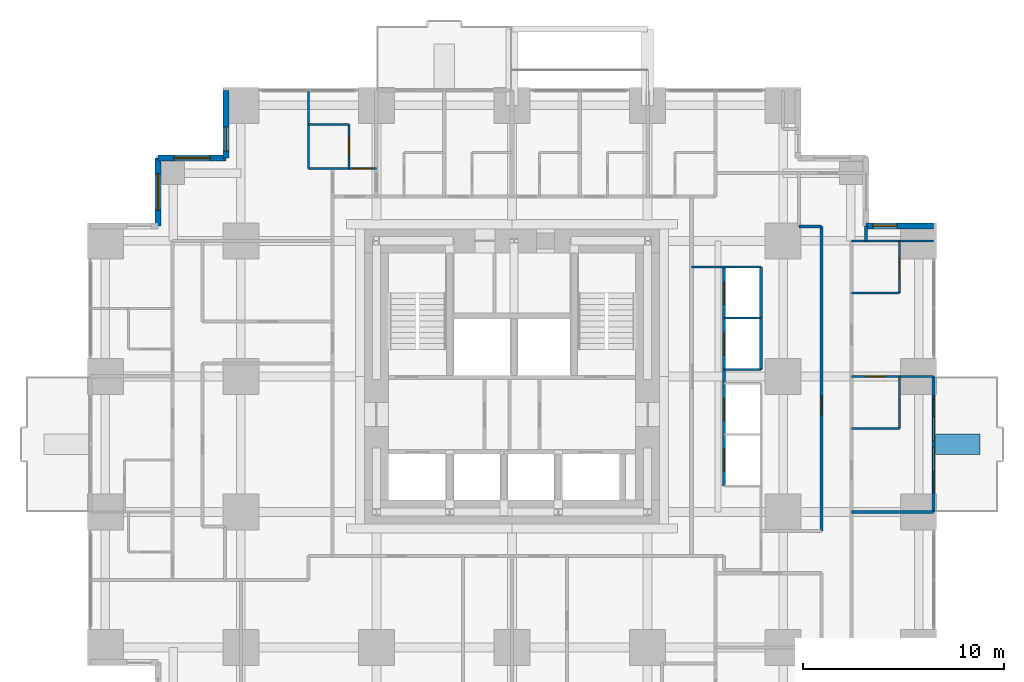
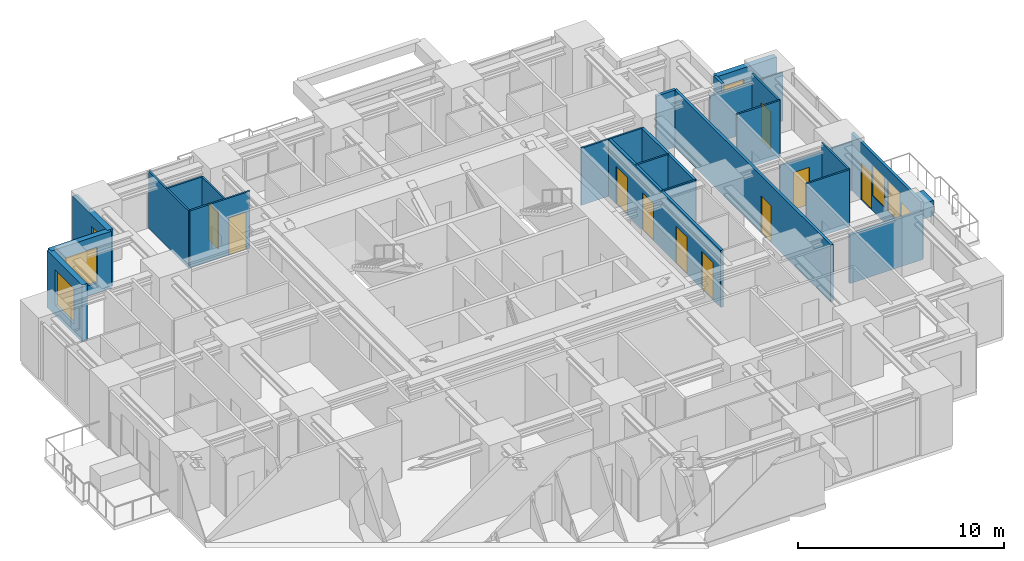
# One storey, part 10 of 13: 25 walls, 11 doors, 6 windows, 17 openings.
"""IFC4 building model written with IfcOpenShell, lengths in metres."""

from ifc_helpers import new_model, si_unit, direction, frame, frame_2d, origin, place, context, subcontext, project, spatial, rectangle, extrude, material, layer, layer_set, type_object, element, fill, save


model = new_model("IFC4")

# Units and contexts
model_context = context("Model", 3, precision=1e-05, world=origin(), true_north=direction((0.0, 1.0)))
body_context = subcontext(model_context, "Body", "Model", "MODEL_VIEW")
ifc_project = project(units=[si_unit("LENGTHUNIT", "METRE"), si_unit("AREAUNIT", "SQUARE_METRE"), si_unit("VOLUMEUNIT", "CUBIC_METRE"), si_unit("PLANEANGLEUNIT", "RADIAN"), si_unit("MASSUNIT", "GRAM", prefix="KILO")], contexts=[model_context])

# Site, building, storey
site_placement = place(None, origin())
site = spatial("IfcSite", under=ifc_project, at=site_placement, CompositionType="ELEMENT")
building_placement = place(site_placement, origin())
building = spatial("IfcBuilding", under=site, at=building_placement, Name="Nyansa Garden Tower", CompositionType="ELEMENT")
storey_placement = place(building_placement, frame((0.0, 0.0, 87.300048828125)))
storey = spatial("IfcBuildingStorey", under=building, at=storey_placement, Name="L23", CompositionType="ELEMENT", Elevation=87.300048828125)

# Wall, openings, doors, windows
ifc_material_1 = material(Name="Black aluminium framed glazed screen", Category="aluminium")
ifc_layer_1 = layer(ifc_material_1, 0.14990234375)
ifc_layer_set_1 = layer_set([ifc_layer_1], Name="Balcony screen wall BW150")
wall_type_1 = type_object("IfcWallType", Name="Balcony screen wall BW150", PredefinedType="SOLIDWALL", material=ifc_layer_set_1)
wall_1_placement = place(storey_placement, frame((41.25, 20.25, 0.0), z_axis=(0.0, 0.0, 1.0), x_axis=(0.0, -1.0, 0.0)))
wall_1 = element("IfcWall", 1, at=wall_1_placement, inside=storey, type_object=wall_type_1, Name="Glazed screen wall L23 E", PredefinedType="SOLIDWALL", context=body_context, shape_type="SweptSolid", body=[
    extrude(rectangle(XDim=6.75, YDim=0.14990234375, at=frame_2d((3.375, 0.0))), origin(), (0.0, 0.0, 1.0), 3.375),
])
opening_1_placement = place(wall_1_placement, frame((0.96240234375, 0.0, 0.0)))
opening_1 = element("IfcOpeningElement", 2, at=opening_1_placement, cuts=wall_1, Name="Opening D20", PredefinedType="OPENING", context=body_context, shape_type="SweptSolid", body=[
    extrude(rectangle(XDim=1.0, YDim=2.199951171875, at=frame_2d((0.5, 1.10009765625))), frame((0.0, 0.0849609375, 0.0), z_axis=(0.0, -1.0, 0.0), x_axis=(1.0, 0.0, 0.0)), (0.0, 0.0, 1.0), 0.169921875),
])
opening_2_placement = place(wall_1_placement, frame((2.02490234375, 0.0, 0.89990234375)))
opening_2 = element("IfcOpeningElement", 3, at=opening_2_placement, cuts=wall_1, Name="Opening W6", PredefinedType="OPENING", context=body_context, shape_type="SweptSolid", body=[
    extrude(rectangle(XDim=1.199951171875, YDim=1.800048828125, at=frame_2d((0.60009765625, 0.89990234375))), frame((0.0, 0.0849609375, 0.0), z_axis=(0.0, -1.0, 0.0), x_axis=(1.0, 0.0, 0.0)), (0.0, 0.0, 1.0), 0.169921875),
])
opening_3_placement = place(wall_1_placement, frame((4.78759765625, 0.0, 0.0)))
opening_3 = element("IfcOpeningElement", 4, at=opening_3_placement, cuts=wall_1, Name="Opening D20", PredefinedType="OPENING", context=body_context, shape_type="SweptSolid", body=[
    extrude(rectangle(XDim=1.0, YDim=2.199951171875, at=frame_2d((0.5, 1.10009765625))), frame((0.0, 0.0849609375, 0.0), z_axis=(0.0, -1.0, 0.0), x_axis=(1.0, 0.0, 0.0)), (0.0, 0.0, 1.0), 0.169921875),
])
opening_4_placement = place(wall_1_placement, frame((3.52490234375, 0.0, 0.89990234375)))
opening_4 = element("IfcOpeningElement", 5, at=opening_4_placement, cuts=wall_1, Name="Opening W6", PredefinedType="OPENING", context=body_context, shape_type="SweptSolid", body=[
    extrude(rectangle(XDim=1.199951171875, YDim=1.800048828125, at=frame_2d((0.60009765625, 0.89990234375))), frame((0.0, 0.0849609375, 0.0), z_axis=(0.0, -1.0, 0.0), x_axis=(1.0, 0.0, 0.0)), (0.0, 0.0, 1.0), 0.169921875),
])
ifc_material_2 = material(Name="Black aluminium framed glazed door", Category="aluminium")
door_type_1 = type_object("IfcDoorType", Name="Balcony door D20 1000x2200", OperationType="NOTDEFINED", PredefinedType="DOOR", material=ifc_material_2)
door_1_placement = place(opening_1_placement, origin())
door_1 = element("IfcDoor", 6, at=door_1_placement, inside=storey, type_object=door_type_1, Name="Balcony door L23", OperationType="SINGLE_SWING_LEFT", OverallHeight=2.199951171875, OverallWidth=1.0, PredefinedType="DOOR", context=body_context, shape_type="SweptSolid", body=[
    extrude(rectangle(XDim=1.0, YDim=2.199951171875, at=frame_2d((0.5, 1.10009765625))), frame((0.0, 0.02490234375, 0.0), z_axis=(0.0, -1.0, 0.0), x_axis=(1.0, 0.0, 0.0)), (0.0, 0.0, 1.0), 0.050048828125),
])
fill(opening_1, door_1)
door_2_placement = place(opening_3_placement, origin())
door_2 = element("IfcDoor", 7, at=door_2_placement, inside=storey, type_object=door_type_1, Name="Balcony door L23", OperationType="SINGLE_SWING_RIGHT", OverallHeight=2.199951171875, OverallWidth=1.0, PredefinedType="DOOR", context=body_context, shape_type="SweptSolid", body=[
    extrude(rectangle(XDim=1.0, YDim=2.199951171875, at=frame_2d((0.5, 1.10009765625))), frame((0.0, 0.02490234375, 0.0), z_axis=(0.0, -1.0, 0.0), x_axis=(1.0, 0.0, 0.0)), (0.0, 0.0, 1.0), 0.050048828125),
])
fill(opening_3, door_2)
ifc_material_3 = material(Name="Black aluminium frame, dark tinted double glazing", Category="aluminium")
window_type_1 = type_object("IfcWindowType", Name="Balcony window W6 1200x1800", PartitioningType="SINGLE_PANEL", PredefinedType="WINDOW", material=ifc_material_3)
window_1_placement = place(opening_2_placement, origin())
window_1 = element("IfcWindow", 8, at=window_1_placement, inside=storey, type_object=window_type_1, Name="Window L23", OverallHeight=1.800048828125, OverallWidth=1.199951171875, PartitioningType="SINGLE_PANEL", PredefinedType="WINDOW", context=body_context, shape_type="SweptSolid", body=[
    extrude(rectangle(XDim=1.199951171875, YDim=1.800048828125, at=frame_2d((0.60009765625, 0.89990234375))), frame((0.0, 0.030029296875, 0.0), z_axis=(0.0, -1.0, 0.0), x_axis=(1.0, 0.0, 0.0)), (0.0, 0.0, 1.0), 0.06005859375),
])
fill(opening_2, window_1)
window_2_placement = place(opening_4_placement, origin())
window_2 = element("IfcWindow", 9, at=window_2_placement, inside=storey, type_object=window_type_1, Name="Window L23", OverallHeight=1.800048828125, OverallWidth=1.199951171875, PartitioningType="SINGLE_PANEL", PredefinedType="WINDOW", context=body_context, shape_type="SweptSolid", body=[
    extrude(rectangle(XDim=1.199951171875, YDim=1.800048828125, at=frame_2d((0.60009765625, 0.89990234375))), frame((0.0, 0.030029296875, 0.0), z_axis=(0.0, -1.0, 0.0), x_axis=(1.0, 0.0, 0.0)), (0.0, 0.0, 1.0), 0.06005859375),
])
fill(opening_4, window_2)

# Walls
ifc_material_4 = material(Name="Steel-stud shaft wall, two layers fire-rated board, EI 120", Category="steel")
ifc_layer_2 = layer(ifc_material_4, 0.10009765625)
ifc_layer_set_2 = layer_set([ifc_layer_2], Name="Lift shaft wall SW100")
wall_type_2 = type_object("IfcWallType", Name="Lift shaft wall SW100", PredefinedType="SHEAR", material=ifc_layer_set_2)
wall_2_placement = place(storey_placement, frame((29.199951171875, 25.699951171875, 0.0), z_axis=(0.0, 0.0, 1.0), x_axis=(1.0, 0.0, 0.0)))
element("IfcWall", 10, at=wall_2_placement, inside=storey, type_object=wall_type_2, Name="Lift shaft wall", PredefinedType="SHEAR", context=body_context, shape_type="SweptSolid", body=[
    extrude(rectangle(XDim=3.449951171875, YDim=0.10009765625, at=frame_2d((1.72509765625, 0.0))), origin(), (0.0, 0.0, 1.0), 3.375),
])
for number, where, z_axis, x_axis, name in (
    (11, (30.800048828125, 20.60009765625, 0.0), (0.0, 0.0, 1.0), (1.0, 0.0, 0.0), "Lift shaft wall"),
    (12, (30.800048828125, 23.14990234375, 0.0), (0.0, 0.0, 1.0), (1.0, 0.0, 0.0), "Lift shaft wall"),
):
    element("IfcWall", number, at=place(storey_placement, frame(where, z_axis=z_axis, x_axis=x_axis)), inside=storey, type_object=wall_type_2, Name=name, PredefinedType="SHEAR", context=body_context, shape_type="SweptSolid", body=[
        extrude(rectangle(XDim=1.849853515625, YDim=0.10009765625, at=frame_2d((0.9248046875, 0.0))), origin(), (0.0, 0.0, 1.0), 3.375),
    ])

# Wall, openings, doors
ifc_material_5 = material(Name="Blockwork, plastered both sides", Category="masonry")
ifc_layer_3 = layer(ifc_material_5, 0.14990234375)
ifc_layer_set_3 = layer_set([ifc_layer_3], Name="Partition PW150")
wall_type_3 = type_object("IfcWallType", Name="Partition PW150", PredefinedType="PARTITIONING", material=ifc_layer_set_3)
wall_3_placement = place(storey_placement, frame((30.800048828125, 14.800048828125, 0.0), z_axis=(0.0, 0.0, 1.0), x_axis=(0.0, 1.0, 0.0)))
wall_3 = element("IfcWall", 13, at=wall_3_placement, inside=storey, type_object=wall_type_3, Name="Partition", PredefinedType="PARTITIONING", context=body_context, shape_type="SweptSolid", body=[
    extrude(rectangle(XDim=10.89990234375, YDim=0.14990234375, at=frame_2d((5.449951171875, 0.0))), origin(), (0.0, 0.0, 1.0), 3.375),
])
opening_5_placement = place(wall_3_placement, frame((0.75, 0.0, 0.0)))
opening_5 = element("IfcOpeningElement", 14, at=opening_5_placement, cuts=wall_3, Name="Opening LD-A", PredefinedType="OPENING", context=body_context, shape_type="SweptSolid", body=[
    extrude(rectangle(XDim=1.10009765625, YDim=2.199951171875, at=frame_2d((0.550048828125, 1.10009765625))), frame((0.0, 0.0849609375, 0.0), z_axis=(0.0, -1.0, 0.0), x_axis=(1.0, 0.0, 0.0)), (0.0, 0.0, 1.0), 0.169921875),
])
opening_6_placement = place(wall_3_placement, frame((3.25, 0.0, 0.0)))
opening_6 = element("IfcOpeningElement", 15, at=opening_6_placement, cuts=wall_3, Name="Opening LD-A", PredefinedType="OPENING", context=body_context, shape_type="SweptSolid", body=[
    extrude(rectangle(XDim=1.10009765625, YDim=2.199951171875, at=frame_2d((0.550048828125, 1.10009765625))), frame((0.0, 0.0849609375, 0.0), z_axis=(0.0, -1.0, 0.0), x_axis=(1.0, 0.0, 0.0)), (0.0, 0.0, 1.0), 0.169921875),
])
opening_7_placement = place(wall_3_placement, frame((6.5, 0.0, 0.0)))
opening_7 = element("IfcOpeningElement", 16, at=opening_7_placement, cuts=wall_3, Name="Opening LD-A", PredefinedType="OPENING", context=body_context, shape_type="SweptSolid", body=[
    extrude(rectangle(XDim=1.10009765625, YDim=2.199951171875, at=frame_2d((0.550048828125, 1.10009765625))), frame((0.0, 0.0849609375, 0.0), z_axis=(0.0, -1.0, 0.0), x_axis=(1.0, 0.0, 0.0)), (0.0, 0.0, 1.0), 0.169921875),
])
opening_8_placement = place(wall_3_placement, frame((9.050048828125, 0.0, 0.0)))
opening_8 = element("IfcOpeningElement", 17, at=opening_8_placement, cuts=wall_3, Name="Opening LD-A", PredefinedType="OPENING", context=body_context, shape_type="SweptSolid", body=[
    extrude(rectangle(XDim=1.10009765625, YDim=2.199951171875, at=frame_2d((0.550048828125, 1.10009765625))), frame((0.0, 0.0849609375, 0.0), z_axis=(0.0, -1.0, 0.0), x_axis=(1.0, 0.0, 0.0)), (0.0, 0.0, 1.0), 0.169921875),
])
ifc_material_6 = material(Name="Stainless steel centre-opening landing door of the low-rise lift, E 120", Category="steel")
door_type_2 = type_object("IfcDoorType", Name="Lift landing door LD-A 1100x2200", OperationType="DOUBLE_DOOR_SLIDING", PredefinedType="DOOR", material=ifc_material_6)
door_3_placement = place(opening_5_placement, origin())
door_3 = element("IfcDoor", 18, at=door_3_placement, inside=storey, type_object=door_type_2, Name="Landing door A1", OperationType="DOUBLE_DOOR_SLIDING", OverallHeight=2.199951171875, OverallWidth=1.10009765625, PredefinedType="DOOR", context=body_context, shape_type="SweptSolid", body=[
    extrude(rectangle(XDim=1.10009765625, YDim=2.199951171875, at=frame_2d((0.550048828125, 1.10009765625))), frame((0.0, 0.02490234375, 0.0), z_axis=(0.0, -1.0, 0.0), x_axis=(1.0, 0.0, 0.0)), (0.0, 0.0, 1.0), 0.050048828125),
])
fill(opening_5, door_3)
door_4_placement = place(opening_6_placement, origin())
door_4 = element("IfcDoor", 19, at=door_4_placement, inside=storey, type_object=door_type_2, Name="Landing door A2", OperationType="DOUBLE_DOOR_SLIDING", OverallHeight=2.199951171875, OverallWidth=1.10009765625, PredefinedType="DOOR", context=body_context, shape_type="SweptSolid", body=[
    extrude(rectangle(XDim=1.10009765625, YDim=2.199951171875, at=frame_2d((0.550048828125, 1.10009765625))), frame((0.0, 0.02490234375, 0.0), z_axis=(0.0, -1.0, 0.0), x_axis=(1.0, 0.0, 0.0)), (0.0, 0.0, 1.0), 0.050048828125),
])
fill(opening_6, door_4)
door_5_placement = place(opening_7_placement, origin())
door_5 = element("IfcDoor", 20, at=door_5_placement, inside=storey, type_object=door_type_2, Name="Landing door A3", OperationType="DOUBLE_DOOR_SLIDING", OverallHeight=2.199951171875, OverallWidth=1.10009765625, PredefinedType="DOOR", context=body_context, shape_type="SweptSolid", body=[
    extrude(rectangle(XDim=1.10009765625, YDim=2.199951171875, at=frame_2d((0.550048828125, 1.10009765625))), frame((0.0, 0.02490234375, 0.0), z_axis=(0.0, -1.0, 0.0), x_axis=(1.0, 0.0, 0.0)), (0.0, 0.0, 1.0), 0.050048828125),
])
fill(opening_7, door_5)
door_6_placement = place(opening_8_placement, origin())
door_6 = element("IfcDoor", 21, at=door_6_placement, inside=storey, type_object=door_type_2, Name="Landing door A4", OperationType="DOUBLE_DOOR_SLIDING", OverallHeight=2.199951171875, OverallWidth=1.10009765625, PredefinedType="DOOR", context=body_context, shape_type="SweptSolid", body=[
    extrude(rectangle(XDim=1.10009765625, YDim=2.199951171875, at=frame_2d((0.550048828125, 1.10009765625))), frame((0.0, 0.02490234375, 0.0), z_axis=(0.0, -1.0, 0.0), x_axis=(1.0, 0.0, 0.0)), (0.0, 0.0, 1.0), 0.050048828125),
])
fill(opening_8, door_6)

# Walls
wall_4_placement = place(storey_placement, frame((32.64990234375, 20.60009765625, 0.0), z_axis=(0.0, 0.0, 1.0), x_axis=(0.0, 1.0, 0.0)))
element("IfcWall", 22, at=wall_4_placement, inside=storey, type_object=wall_type_3, Name="Partition", PredefinedType="PARTITIONING", context=body_context, shape_type="SweptSolid", body=[
    extrude(rectangle(XDim=5.099853515625, YDim=0.14990234375, at=frame_2d((2.5498046875, 0.0))), origin(), (0.0, 0.0, 1.0), 3.375),
])
wall_5_placement = place(storey_placement, frame((34.550048828125, 27.72509765625, 0.0), z_axis=(0.0, 0.0, 1.0), x_axis=(1.0, 0.0, 0.0)))
element("IfcWall", 23, at=wall_5_placement, inside=storey, type_object=wall_type_3, Name="Partition", PredefinedType="PARTITIONING", context=body_context, shape_type="SweptSolid", body=[
    extrude(rectangle(XDim=1.099853515625, YDim=0.14990234375, at=frame_2d((0.5498046875, 0.0))), origin(), (0.0, 0.0, 1.0), 3.375),
])

# Wall, opening, door
wall_6_placement = place(storey_placement, frame((35.64990234375, 12.550048828125, 0.0), z_axis=(0.0, 0.0, 1.0), x_axis=(0.0, 1.0, 0.0)))
wall_6 = element("IfcWall", 24, at=wall_6_placement, inside=storey, type_object=wall_type_3, Name="Partition", PredefinedType="PARTITIONING", context=body_context, shape_type="SweptSolid", body=[
    extrude(rectangle(XDim=15.175048828125, YDim=0.14990234375, at=frame_2d((7.58740234375, 0.0))), origin(), (0.0, 0.0, 1.0), 3.375),
])
opening_9_placement = place(wall_6_placement, frame((5.800048828125, 0.0, 0.0)))
opening_9 = element("IfcOpeningElement", 25, at=opening_9_placement, cuts=wall_6, Name="Opening D01", PredefinedType="OPENING", context=body_context, shape_type="SweptSolid", body=[
    extrude(rectangle(XDim=0.949951171875, YDim=2.199951171875, at=frame_2d((0.47509765625, 1.10009765625))), frame((0.0, 0.0849609375, 0.0), z_axis=(0.0, -1.0, 0.0), x_axis=(1.0, 0.0, 0.0)), (0.0, 0.0, 1.0), 0.169921875),
])
ifc_material_7 = material(Name="Timber flush door, 30 minute fire resisting", Category="wood")
door_type_3 = type_object("IfcDoorType", Name="Bedroom door D01 950x2200", OperationType="SINGLE_SWING_LEFT", PredefinedType="DOOR", material=ifc_material_7)
door_7_placement = place(opening_9_placement, origin())
door_7 = element("IfcDoor", 26, at=door_7_placement, inside=storey, type_object=door_type_3, Name="Door L23-038", OperationType="SINGLE_SWING_LEFT", OverallHeight=2.199951171875, OverallWidth=0.949951171875, PredefinedType="DOOR", context=body_context, shape_type="SweptSolid", body=[
    extrude(rectangle(XDim=0.949951171875, YDim=2.199951171875, at=frame_2d((0.47509765625, 1.10009765625))), frame((0.0, 0.02490234375, 0.0), z_axis=(0.0, -1.0, 0.0), x_axis=(1.0, 0.0, 0.0)), (0.0, 0.0, 1.0), 0.050048828125),
])
fill(opening_9, door_7)

# Walls
wall_7_placement = place(storey_placement, frame((37.14990234375, 13.5, 0.0), z_axis=(0.0, 0.0, 1.0), x_axis=(1.0, 0.0, 0.0)))
element("IfcWall", 27, at=wall_7_placement, inside=storey, type_object=wall_type_3, Name="Partition", PredefinedType="PARTITIONING", context=body_context, shape_type="SweptSolid", body=[
    extrude(rectangle(XDim=4.083984375, YDim=0.14990234375, at=frame_2d((2.0419921875, 0.0))), origin(), (0.0, 0.0, 1.0), 2.876953125),
])
wall_8_placement = place(storey_placement, frame((37.875, 27.0, 0.0), z_axis=(0.0, 0.0, 1.0), x_axis=(0.0, 1.0, 0.0)))
element("IfcWall", 28, at=wall_8_placement, inside=storey, type_object=wall_type_3, Name="Partition", PredefinedType="PARTITIONING", context=body_context, shape_type="SweptSolid", body=[
    extrude(rectangle(XDim=0.73388671875, YDim=0.14990234375, at=frame_2d((0.366943359375, 0.0))), origin(), (0.0, 0.0, 1.0), 3.375),
])

# Wall, opening, window
ifc_material_8 = material(Name="Turquoise glazed tile on concrete blockwork", Category="masonry")
ifc_layer_4 = layer(ifc_material_8, 0.300048828125)
ifc_layer_set_4 = layer_set([ifc_layer_4], Name="Tiled corner wall TW300")
wall_type_4 = type_object("IfcWallType", Name="Tiled corner wall TW300", PredefinedType="SOLIDWALL", material=ifc_layer_set_4)
wall_9_placement = place(storey_placement, frame((41.25, 27.75, 0.0), z_axis=(0.0, 0.0, 1.0), x_axis=(-1.0, 0.0, 0.0)))
wall_9 = element("IfcWall", 29, at=wall_9_placement, inside=storey, type_object=wall_type_4, Name="Tiled corner wall L23", PredefinedType="SOLIDWALL", context=body_context, shape_type="SweptSolid", body=[
    extrude(rectangle(XDim=3.375, YDim=0.300048828125, at=frame_2d((1.6875, 0.0))), origin(), (0.0, 0.0, 1.0), 3.375),
])
opening_10_placement = place(wall_9_placement, frame((1.83251953125, 0.0, 0.89990234375)))
opening_10 = element("IfcOpeningElement", 30, at=opening_10_placement, cuts=wall_9, Name="Opening W4", PredefinedType="OPENING", context=body_context, shape_type="SweptSolid", body=[
    extrude(rectangle(XDim=1.199951171875, YDim=1.800048828125, at=frame_2d((0.60009765625, 0.89990234375))), frame((0.0, 0.159912109375, 0.0), z_axis=(0.0, -1.0, 0.0), x_axis=(1.0, 0.0, 0.0)), (0.0, 0.0, 1.0), 0.320068359375),
])
ifc_material_9 = material(Name="Black aluminium frame, dark tinted double glazing", Category="aluminium")
window_type_2 = type_object("IfcWindowType", Name="Window W4 1200x1800", PartitioningType="SINGLE_PANEL", PredefinedType="WINDOW", material=ifc_material_9)
window_3_placement = place(opening_10_placement, origin())
window_3 = element("IfcWindow", 31, at=window_3_placement, inside=storey, type_object=window_type_2, Name="Corner window L23", OverallHeight=1.800048828125, OverallWidth=1.199951171875, PartitioningType="SINGLE_PANEL", PredefinedType="WINDOW", context=body_context, shape_type="SweptSolid", body=[
    extrude(rectangle(XDim=1.199951171875, YDim=1.800048828125, at=frame_2d((0.60009765625, 0.89990234375))), frame((0.0, 0.030029296875, 0.0), z_axis=(0.0, -1.0, 0.0), x_axis=(1.0, 0.0, 0.0)), (0.0, 0.0, 1.0), 0.06005859375),
])
fill(opening_10, window_3)

wall_10_placement = place(storey_placement, frame((6.0, 34.5, 0.0), z_axis=(0.0, 0.0, 1.0), x_axis=(0.0, -1.0, 0.0)))
wall_10 = element("IfcWall", 32, at=wall_10_placement, inside=storey, type_object=wall_type_4, Name="Tiled corner wall L23", PredefinedType="SOLIDWALL", context=body_context, shape_type="SweptSolid", body=[
    extrude(rectangle(XDim=3.375, YDim=0.300048828125, at=frame_2d((1.6875, 0.0))), origin(), (0.0, 0.0, 1.0), 3.375),
])
opening_11_placement = place(wall_10_placement, frame((1.83251953125, 0.0, 0.89990234375)))
opening_11 = element("IfcOpeningElement", 33, at=opening_11_placement, cuts=wall_10, Name="Opening W4", PredefinedType="OPENING", context=body_context, shape_type="SweptSolid", body=[
    extrude(rectangle(XDim=1.199951171875, YDim=1.800048828125, at=frame_2d((0.60009765625, 0.89990234375))), frame((0.0, 0.159912109375, 0.0), z_axis=(0.0, -1.0, 0.0), x_axis=(1.0, 0.0, 0.0)), (0.0, 0.0, 1.0), 0.320068359375),
])
window_4_placement = place(opening_11_placement, origin())
window_4 = element("IfcWindow", 34, at=window_4_placement, inside=storey, type_object=window_type_2, Name="Corner window L23", OverallHeight=1.800048828125, OverallWidth=1.199951171875, PartitioningType="SINGLE_PANEL", PredefinedType="WINDOW", context=body_context, shape_type="SweptSolid", body=[
    extrude(rectangle(XDim=1.199951171875, YDim=1.800048828125, at=frame_2d((0.60009765625, 0.89990234375))), frame((0.0, 0.030029296875, 0.0), z_axis=(0.0, -1.0, 0.0), x_axis=(1.0, 0.0, 0.0)), (0.0, 0.0, 1.0), 0.06005859375),
])
fill(opening_11, window_4)

wall_11_placement = place(storey_placement, frame((6.0, 31.125, 0.0), z_axis=(0.0, 0.0, 1.0), x_axis=(-1.0, 0.0, 0.0)))
wall_11 = element("IfcWall", 35, at=wall_11_placement, inside=storey, type_object=wall_type_4, Name="Tiled corner wall L23", PredefinedType="SOLIDWALL", context=body_context, shape_type="SweptSolid", body=[
    extrude(rectangle(XDim=3.375, YDim=0.300048828125, at=frame_2d((1.6875, 0.0))), origin(), (0.0, 0.0, 1.0), 3.375),
])
opening_12_placement = place(wall_11_placement, frame((0.78759765625, 0.0, 0.60009765625)))
opening_12 = element("IfcOpeningElement", 36, at=opening_12_placement, cuts=wall_11, Name="Opening W2", PredefinedType="OPENING", context=body_context, shape_type="SweptSolid", body=[
    extrude(rectangle(XDim=1.800048828125, YDim=2.10009765625, at=frame_2d((0.89990234375, 1.050048828125))), frame((0.0, 0.159912109375, 0.0), z_axis=(0.0, -1.0, 0.0), x_axis=(1.0, 0.0, 0.0)), (0.0, 0.0, 1.0), 0.320068359375),
])
ifc_material_10 = material(Name="Black aluminium frame, dark tinted double glazing", Category="aluminium")
window_type_3 = type_object("IfcWindowType", Name="Window W2 1800x2100", PartitioningType="SINGLE_PANEL", PredefinedType="WINDOW", material=ifc_material_10)
window_5_placement = place(opening_12_placement, origin())
window_5 = element("IfcWindow", 37, at=window_5_placement, inside=storey, type_object=window_type_3, Name="Corner window L23", OverallHeight=2.10009765625, OverallWidth=1.800048828125, PartitioningType="SINGLE_PANEL", PredefinedType="WINDOW", context=body_context, shape_type="SweptSolid", body=[
    extrude(rectangle(XDim=1.800048828125, YDim=2.10009765625, at=frame_2d((0.89990234375, 1.050048828125))), frame((0.0, 0.030029296875, 0.0), z_axis=(0.0, -1.0, 0.0), x_axis=(1.0, 0.0, 0.0)), (0.0, 0.0, 1.0), 0.06005859375),
])
fill(opening_12, window_5)

wall_12_placement = place(storey_placement, frame((2.625, 31.125, 0.0), z_axis=(0.0, 0.0, 1.0), x_axis=(0.0, -1.0, 0.0)))
wall_12 = element("IfcWall", 38, at=wall_12_placement, inside=storey, type_object=wall_type_4, Name="Tiled corner wall L23", PredefinedType="SOLIDWALL", context=body_context, shape_type="SweptSolid", body=[
    extrude(rectangle(XDim=3.375, YDim=0.300048828125, at=frame_2d((1.6875, 0.0))), origin(), (0.0, 0.0, 1.0), 3.375),
])
opening_13_placement = place(wall_12_placement, frame((0.78759765625, 0.0, 0.60009765625)))
opening_13 = element("IfcOpeningElement", 39, at=opening_13_placement, cuts=wall_12, Name="Opening W2", PredefinedType="OPENING", context=body_context, shape_type="SweptSolid", body=[
    extrude(rectangle(XDim=1.800048828125, YDim=2.10009765625, at=frame_2d((0.89990234375, 1.050048828125))), frame((0.0, 0.159912109375, 0.0), z_axis=(0.0, -1.0, 0.0), x_axis=(1.0, 0.0, 0.0)), (0.0, 0.0, 1.0), 0.320068359375),
])
window_6_placement = place(opening_13_placement, origin())
window_6 = element("IfcWindow", 40, at=window_6_placement, inside=storey, type_object=window_type_3, Name="Corner window L23", OverallHeight=2.10009765625, OverallWidth=1.800048828125, PartitioningType="SINGLE_PANEL", PredefinedType="WINDOW", context=body_context, shape_type="SweptSolid", body=[
    extrude(rectangle(XDim=1.800048828125, YDim=2.10009765625, at=frame_2d((0.89990234375, 1.050048828125))), frame((0.0, 0.030029296875, 0.0), z_axis=(0.0, -1.0, 0.0), x_axis=(1.0, 0.0, 0.0)), (0.0, 0.0, 1.0), 0.06005859375),
])
fill(opening_13, window_6)

# Walls
ifc_material_11 = material(Name="Concrete C40/50 planter, waterproofed", Category="concrete")
ifc_layer_5 = layer(ifc_material_11, 1.0)
ifc_layer_set_5 = layer_set([ifc_layer_5], Name="Tree planter TP1")
wall_type_5 = type_object("IfcWallType", Name="Tree planter TP1", PredefinedType="USERDEFINED", material=ifc_layer_set_5)
wall_13_placement = place(storey_placement, frame((41.35009765625, 16.875, 0.0), z_axis=(0.0, 0.0, 1.0), x_axis=(1.0, 0.0, 0.0)))
element("IfcWall", 41, at=wall_13_placement, inside=storey, type_object=wall_type_5, Name="Tree planter L23", ObjectType="TREE PLANTER", PredefinedType="USERDEFINED", context=body_context, shape_type="SweptSolid", body=[
    extrude(rectangle(XDim=2.199951171875, YDim=1.0, at=frame_2d((1.10009765625, 0.0))), origin(), (0.0, 0.0, 1.0), 0.89990234375),
])
ifc_material_12 = material(Name="Moisture resistant board on steel studs, tiled", Category="steel")
ifc_layer_6 = layer(ifc_material_12, 0.10009765625)
ifc_layer_set_6 = layer_set([ifc_layer_6], Name="Wet wall PW100")
wall_type_6 = type_object("IfcWallType", Name="Wet wall PW100", PredefinedType="PARTITIONING", material=ifc_layer_set_6)
wall_14_placement = place(storey_placement, frame((10.125, 30.60009765625, 0.0), z_axis=(0.0, 0.0, 1.0), x_axis=(0.0, 1.0, 0.0)))
element("IfcWall", 42, at=wall_14_placement, inside=storey, type_object=wall_type_6, Name="Wet wall", PredefinedType="PARTITIONING", context=body_context, shape_type="SweptSolid", body=[
    extrude(rectangle(XDim=3.8837890625, YDim=0.10009765625, at=frame_2d((1.94189453125, 0.0))), origin(), (0.0, 0.0, 1.0), 3.375),
])

# Wall, opening, door
wall_15_placement = place(storey_placement, frame((10.125, 30.60009765625, 0.0), z_axis=(0.0, 0.0, 1.0), x_axis=(1.0, 0.0, 0.0)))
wall_15 = element("IfcWall", 43, at=wall_15_placement, inside=storey, type_object=wall_type_6, Name="Wet wall", PredefinedType="PARTITIONING", context=body_context, shape_type="SweptSolid", body=[
    extrude(rectangle(XDim=3.375, YDim=0.10009765625, at=frame_2d((1.6875, 0.0))), origin(), (0.0, 0.0, 1.0), 3.375),
])
opening_14_placement = place(wall_15_placement, frame((2.199951171875, 0.0, 0.0)))
opening_14 = element("IfcOpeningElement", 44, at=opening_14_placement, cuts=wall_15, Name="Opening D14", PredefinedType="OPENING", context=body_context, shape_type="SweptSolid", body=[
    extrude(rectangle(XDim=0.949951171875, YDim=2.199951171875, at=frame_2d((0.47509765625, 1.10009765625))), frame((0.0, 0.06005859375, 0.0), z_axis=(0.0, -1.0, 0.0), x_axis=(1.0, 0.0, 0.0)), (0.0, 0.0, 1.0), 0.1201171875),
])
ifc_material_13 = material(Name="Timber flush door, 60 minute fire resisting, self-closing", Category="wood")
door_type_4 = type_object("IfcDoorType", Name="Studio entrance door D14 950x2200", OperationType="SINGLE_SWING_LEFT", PredefinedType="DOOR", material=ifc_material_13)
door_8_placement = place(opening_14_placement, origin())
door_8 = element("IfcDoor", 45, at=door_8_placement, inside=storey, type_object=door_type_4, Name="Door L23-041", OperationType="SINGLE_SWING_LEFT", OverallHeight=2.199951171875, OverallWidth=0.949951171875, PredefinedType="DOOR", context=body_context, shape_type="SweptSolid", body=[
    extrude(rectangle(XDim=0.949951171875, YDim=2.199951171875, at=frame_2d((0.47509765625, 1.10009765625))), frame((0.0, 0.02490234375, 0.0), z_axis=(0.0, -1.0, 0.0), x_axis=(1.0, 0.0, 0.0)), (0.0, 0.0, 1.0), 0.050048828125),
])
fill(opening_14, door_8)

# Wall
wall_16_placement = place(storey_placement, frame((10.125, 32.800048828125, 0.0), z_axis=(0.0, 0.0, 1.0), x_axis=(1.0, 0.0, 0.0)))
element("IfcWall", 46, at=wall_16_placement, inside=storey, type_object=wall_type_6, Name="Wet wall", PredefinedType="PARTITIONING", context=body_context, shape_type="SweptSolid", body=[
    extrude(rectangle(XDim=2.0, YDim=0.10009765625, at=frame_2d((1.0, 0.0))), origin(), (0.0, 0.0, 1.0), 3.375),
])

# Wall, opening, door
wall_17_placement = place(storey_placement, frame((12.125, 30.60009765625, 0.0), z_axis=(0.0, 0.0, 1.0), x_axis=(0.0, 1.0, 0.0)))
wall_17 = element("IfcWall", 47, at=wall_17_placement, inside=storey, type_object=wall_type_6, Name="Wet wall", PredefinedType="PARTITIONING", context=body_context, shape_type="SweptSolid", body=[
    extrude(rectangle(XDim=2.199951171875, YDim=0.10009765625, at=frame_2d((1.10009765625, 0.0))), origin(), (0.0, 0.0, 1.0), 3.375),
])
opening_15_placement = place(wall_17_placement, frame((0.64990234375, 0.0, 0.0)))
opening_15 = element("IfcOpeningElement", 48, at=opening_15_placement, cuts=wall_17, Name="Opening D02", PredefinedType="OPENING", context=body_context, shape_type="SweptSolid", body=[
    extrude(rectangle(XDim=0.89990234375, YDim=2.199951171875, at=frame_2d((0.449951171875, 1.10009765625))), frame((0.0, 0.06005859375, 0.0), z_axis=(0.0, -1.0, 0.0), x_axis=(1.0, 0.0, 0.0)), (0.0, 0.0, 1.0), 0.1201171875),
])
ifc_material_14 = material(Name="Timber flush door", Category="wood")
door_type_5 = type_object("IfcDoorType", Name="En-suite door D02 900x2200", OperationType="SINGLE_SWING_RIGHT", PredefinedType="DOOR", material=ifc_material_14)
door_9_placement = place(opening_15_placement, origin())
door_9 = element("IfcDoor", 49, at=door_9_placement, inside=storey, type_object=door_type_5, Name="Door L23-042", OperationType="SINGLE_SWING_RIGHT", OverallHeight=2.199951171875, OverallWidth=0.89990234375, PredefinedType="DOOR", context=body_context, shape_type="SweptSolid", body=[
    extrude(rectangle(XDim=0.89990234375, YDim=2.199951171875, at=frame_2d((0.449951171875, 1.10009765625))), frame((0.0, 0.02490234375, 0.0), z_axis=(0.0, -1.0, 0.0), x_axis=(1.0, 0.0, 0.0)), (0.0, 0.0, 1.0), 0.050048828125),
])
fill(opening_15, door_9)

# Wall
wall_18_placement = place(storey_placement, frame((37.14990234375, 17.64990234375, 0.0), z_axis=(0.0, 0.0, 1.0), x_axis=(1.0, 0.0, 0.0)))
element("IfcWall", 50, at=wall_18_placement, inside=storey, type_object=wall_type_6, Name="Wet wall", PredefinedType="PARTITIONING", context=body_context, shape_type="SweptSolid", body=[
    extrude(rectangle(XDim=2.400146484375, YDim=0.10009765625, at=frame_2d((1.2001953125, 0.0))), origin(), (0.0, 0.0, 1.0), 3.375),
])

# Wall, opening, door
wall_19_placement = place(storey_placement, frame((37.14990234375, 20.25, 0.0), z_axis=(0.0, 0.0, 1.0), x_axis=(1.0, 0.0, 0.0)))
wall_19 = element("IfcWall", 51, at=wall_19_placement, inside=storey, type_object=wall_type_6, Name="Wet wall", PredefinedType="PARTITIONING", context=body_context, shape_type="SweptSolid", body=[
    extrude(rectangle(XDim=4.083984375, YDim=0.10009765625, at=frame_2d((2.0419921875, 0.0))), origin(), (0.0, 0.0, 1.0), 2.876953125),
])
opening_16_placement = place(wall_19_placement, frame((0.75, 0.0, 0.0)))
opening_16 = element("IfcOpeningElement", 52, at=opening_16_placement, cuts=wall_19, Name="Opening D02", PredefinedType="OPENING", context=body_context, shape_type="SweptSolid", body=[
    extrude(rectangle(XDim=0.89990234375, YDim=2.199951171875, at=frame_2d((0.449951171875, 1.10009765625))), frame((0.0, 0.06005859375, 0.0), z_axis=(0.0, -1.0, 0.0), x_axis=(1.0, 0.0, 0.0)), (0.0, 0.0, 1.0), 0.1201171875),
])
door_10_placement = place(opening_16_placement, origin())
door_10 = element("IfcDoor", 53, at=door_10_placement, inside=storey, type_object=door_type_5, Name="Door L23-036", OperationType="SINGLE_SWING_RIGHT", OverallHeight=2.199951171875, OverallWidth=0.89990234375, PredefinedType="DOOR", context=body_context, shape_type="SweptSolid", body=[
    extrude(rectangle(XDim=0.89990234375, YDim=2.199951171875, at=frame_2d((0.449951171875, 1.10009765625))), frame((0.0, 0.02490234375, 0.0), z_axis=(0.0, -1.0, 0.0), x_axis=(1.0, 0.0, 0.0)), (0.0, 0.0, 1.0), 0.050048828125),
])
fill(opening_16, door_10)

# Walls
wall_20_placement = place(storey_placement, frame((37.14990234375, 24.39990234375, 0.0), z_axis=(0.0, 0.0, 1.0), x_axis=(1.0, 0.0, 0.0)))
element("IfcWall", 54, at=wall_20_placement, inside=storey, type_object=wall_type_6, Name="Wet wall", PredefinedType="PARTITIONING", context=body_context, shape_type="SweptSolid", body=[
    extrude(rectangle(XDim=2.400146484375, YDim=0.10009765625, at=frame_2d((1.2001953125, 0.0))), origin(), (0.0, 0.0, 1.0), 3.375),
])
wall_21_placement = place(storey_placement, frame((37.14990234375, 27.0, 0.0), z_axis=(0.0, 0.0, 1.0), x_axis=(1.0, 0.0, 0.0)))
element("IfcWall", 55, at=wall_21_placement, inside=storey, type_object=wall_type_6, Name="Wet wall", PredefinedType="PARTITIONING", context=body_context, shape_type="SweptSolid", body=[
    extrude(rectangle(XDim=4.083984375, YDim=0.10009765625, at=frame_2d((2.0419921875, 0.0))), origin(), (0.0, 0.0, 1.0), 2.876953125),
])
wall_22_placement = place(storey_placement, frame((39.550048828125, 17.64990234375, 0.0), z_axis=(0.0, 0.0, 1.0), x_axis=(0.0, 1.0, 0.0)))
element("IfcWall", 56, at=wall_22_placement, inside=storey, type_object=wall_type_6, Name="Wet wall", PredefinedType="PARTITIONING", context=body_context, shape_type="SweptSolid", body=[
    extrude(rectangle(XDim=2.60009765625, YDim=0.10009765625, at=frame_2d((1.300048828125, 0.0))), origin(), (0.0, 0.0, 1.0), 3.375),
])

# Wall, opening, door
wall_23_placement = place(storey_placement, frame((39.550048828125, 24.39990234375, 0.0), z_axis=(0.0, 0.0, 1.0), x_axis=(0.0, 1.0, 0.0)))
wall_23 = element("IfcWall", 57, at=wall_23_placement, inside=storey, type_object=wall_type_6, Name="Wet wall", PredefinedType="PARTITIONING", context=body_context, shape_type="SweptSolid", body=[
    extrude(rectangle(XDim=2.60009765625, YDim=0.10009765625, at=frame_2d((1.300048828125, 0.0))), origin(), (0.0, 0.0, 1.0), 3.375),
])
opening_17_placement = place(wall_23_placement, frame((0.800048828125, 0.0, 0.0)))
opening_17 = element("IfcOpeningElement", 58, at=opening_17_placement, cuts=wall_23, Name="Opening D02", PredefinedType="OPENING", context=body_context, shape_type="SweptSolid", body=[
    extrude(rectangle(XDim=0.89990234375, YDim=2.199951171875, at=frame_2d((0.449951171875, 1.10009765625))), frame((0.0, 0.06005859375, 0.0), z_axis=(0.0, -1.0, 0.0), x_axis=(1.0, 0.0, 0.0)), (0.0, 0.0, 1.0), 0.1201171875),
])
door_11_placement = place(opening_17_placement, origin())
door_11 = element("IfcDoor", 59, at=door_11_placement, inside=storey, type_object=door_type_5, Name="Door L23-034", OperationType="SINGLE_SWING_RIGHT", OverallHeight=2.199951171875, OverallWidth=0.89990234375, PredefinedType="DOOR", context=body_context, shape_type="SweptSolid", body=[
    extrude(rectangle(XDim=0.89990234375, YDim=2.199951171875, at=frame_2d((0.449951171875, 1.10009765625))), frame((0.0, 0.02490234375, 0.0), z_axis=(0.0, -1.0, 0.0), x_axis=(1.0, 0.0, 0.0)), (0.0, 0.0, 1.0), 0.050048828125),
])
fill(opening_17, door_11)

save(model, "model.ifc")
